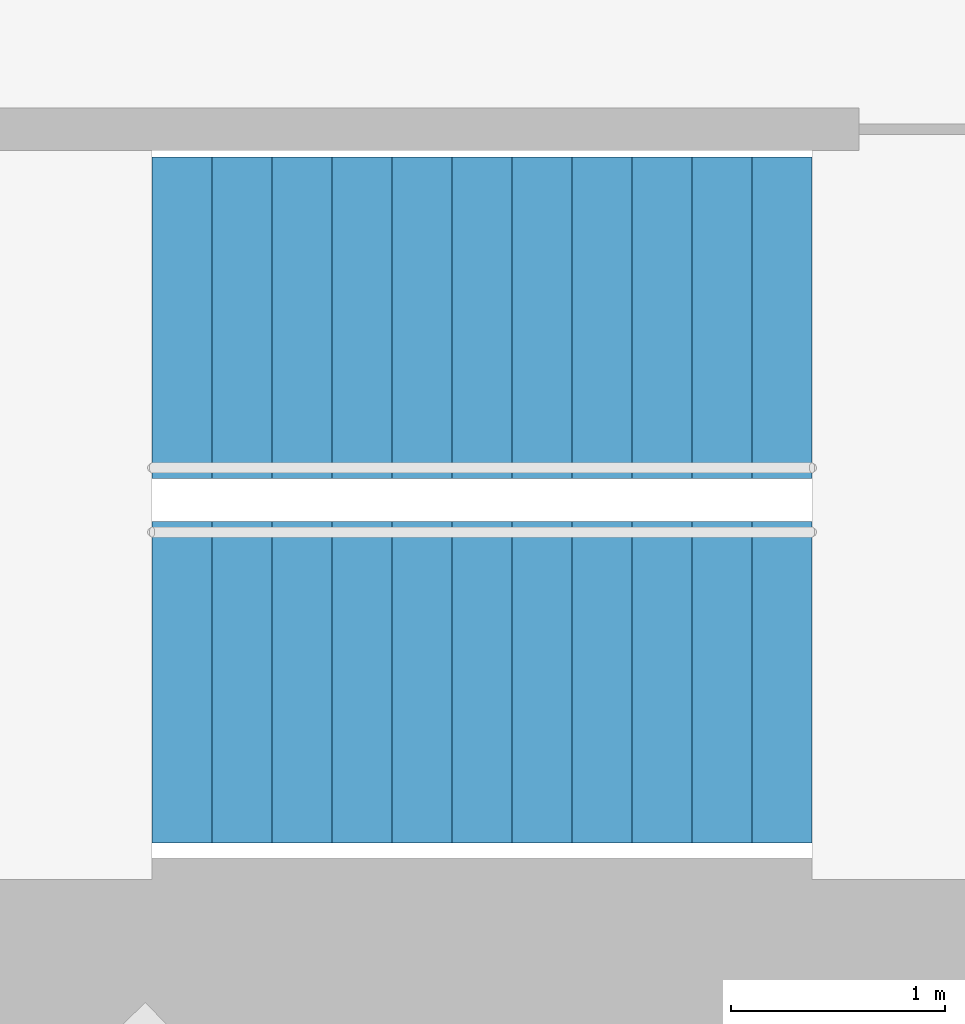
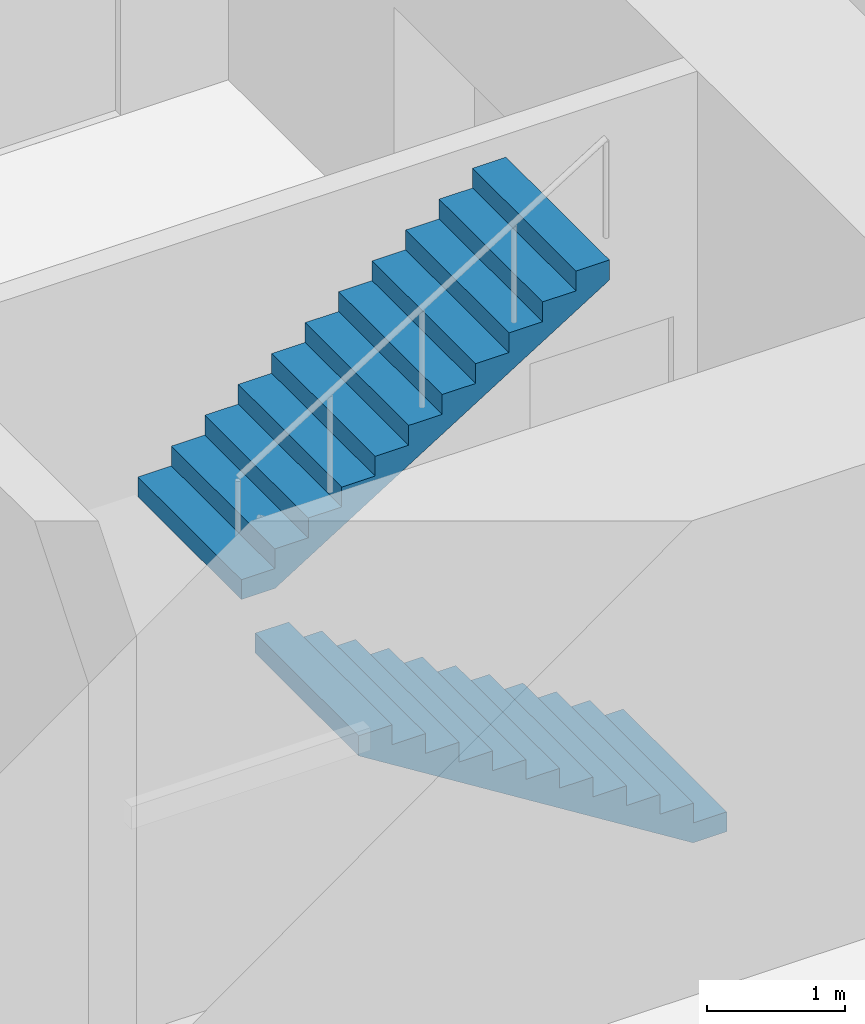
# One storey, part 17 of 18: 2 stair flights, 1 element without a shape of its own.
"""IFC4 building model written with IfcOpenShell, lengths in metres."""

from ifc_helpers import new_model, si_unit, direction, frame, origin, place, context, subcontext, project, spatial, triangles, material, type_object, element, aggregate, save


model = new_model("IFC4")

# Units and contexts
model_context = context("Model", 3, precision=1e-05, world=origin(), true_north=direction((0.0, 1.0)))
body_context = subcontext(model_context, "Body", "Model", "MODEL_VIEW")
ifc_project = project(units=[si_unit("LENGTHUNIT", "METRE"), si_unit("AREAUNIT", "SQUARE_METRE"), si_unit("VOLUMEUNIT", "CUBIC_METRE"), si_unit("PLANEANGLEUNIT", "RADIAN"), si_unit("MASSUNIT", "GRAM", prefix="KILO")], contexts=[model_context])

# Site, building, storey
site_placement = place(None, origin())
site = spatial("IfcSite", under=ifc_project, at=site_placement, CompositionType="ELEMENT")
building_placement = place(site_placement, origin())
building = spatial("IfcBuilding", under=site, at=building_placement, Name="Lantaw Convention Tower", CompositionType="ELEMENT")
storey_placement = place(building_placement, frame((0.0, 0.0, 180.39990234375)))
storey = spatial("IfcBuildingStorey", under=building, at=storey_placement, Name="L42", CompositionType="ELEMENT", Elevation=180.39990234375)

# Stair, stair flights
ifc_material = material(Name="Concrete C35/45", Category="concrete")
stair_type = type_object("IfcStairType", Name="Exit stair 1500 riser 175 in 2 flights", PredefinedType="HALF_TURN_STAIR", material=ifc_material)
stair_placement = place(storey_placement, origin())
stair = element("IfcStair", 1, at=stair_placement, inside=storey, type_object=stair_type, Name="Exit stair S2 L42", PredefinedType="HALF_TURN_STAIR")
stair_flight_type = type_object("IfcStairFlightType", Name="Stair flight 1500 riser 175", PredefinedType="STRAIGHT", material=ifc_material)
stair_flight_1_placement = place(storey_placement, frame((10.580078125, -5.97998046875, 0.0), z_axis=(0.0, 0.0, 1.0), x_axis=(-1.0, 0.0, 0.0)))
stair_flight_1 = element("IfcStairFlight", 2, at=stair_flight_1_placement, type_object=stair_flight_type, Name="S2 flight 1", NumberOfRisers=12, NumberOfTreads=11, PredefinedType="STRAIGHT", RiserHeight=0.175, TreadLength=0.28, context=body_context, shape_type="Tessellation", body=[
    triangles([(0.0, 0.75, 0.0), (0.0, 0.75, 0.175), (0.28, 0.75, 0.0), (0.28, 0.75, 0.175), (0.28, 0.75, 0.35), (0.28283517651771284, 0.75, 0.0), (0.28283517651771284, 0.75, 0.35), (0.56, 0.75, 0.17322801467642948), (0.56, 0.75, 0.35), (0.56, 0.75, 0.5249999999999999), (0.8400000000000001, 0.75, 0.34822801467642944), (0.8400000000000001, 0.75, 0.5249999999999999), (0.8400000000000001, 0.75, 0.7), (1.12, 0.75, 0.5232280146764294), (1.12, 0.75, 0.7), (1.12, 0.75, 0.875), (1.4000000000000001, 0.75, 0.6982280146764295), (1.4000000000000001, 0.75, 0.875), (1.4000000000000001, 0.75, 1.0499999999999998), (1.6800000000000002, 0.75, 0.8732280146764294), (1.6800000000000002, 0.75, 1.0499999999999998), (1.6800000000000002, 0.75, 1.2249999999999999), (1.9600000000000002, 0.75, 1.0482280146764293), (1.9600000000000002, 0.75, 1.2249999999999999), (1.9600000000000002, 0.75, 1.4), (2.24, 0.75, 1.2232280146764294), (2.24, 0.75, 1.4), (2.24, 0.75, 1.575), (2.5200000000000005, 0.75, 1.3982280146764294), (2.5200000000000005, 0.75, 1.575), (2.5200000000000005, 0.75, 1.75), (2.8000000000000003, 0.75, 1.5732280146764293), (2.8000000000000003, 0.75, 1.75), (2.8000000000000003, 0.75, 1.9249999999999998), (3.08, 0.75, 1.7482280146764293), (3.08, 0.75, 1.9249999999999998), (0.0, -0.75, 0.0), (0.0, -0.75, 0.175), (0.28, -0.75, 0.0), (0.28, -0.75, 0.175), (0.28, -0.75, 0.35), (0.28283517651771284, -0.75, 0.0), (0.28283517651771284, -0.75, 0.35), (0.56, -0.75, 0.17322801467642948), (0.56, -0.75, 0.35), (0.56, -0.75, 0.5249999999999999), (0.8400000000000001, -0.75, 0.34822801467642944), (0.8400000000000001, -0.75, 0.5249999999999999), (0.8400000000000001, -0.75, 0.7), (1.12, -0.75, 0.5232280146764294), (1.12, -0.75, 0.7), (1.12, -0.75, 0.875), (1.4000000000000001, -0.75, 0.6982280146764295), (1.4000000000000001, -0.75, 0.875), (1.4000000000000001, -0.75, 1.0499999999999998), (1.6800000000000002, -0.75, 0.8732280146764294), (1.6800000000000002, -0.75, 1.0499999999999998), (1.6800000000000002, -0.75, 1.2249999999999999), (1.9600000000000002, -0.75, 1.0482280146764293), (1.9600000000000002, -0.75, 1.2249999999999999), (1.9600000000000002, -0.75, 1.4), (2.24, -0.75, 1.2232280146764294), (2.24, -0.75, 1.4), (2.24, -0.75, 1.575), (2.5200000000000005, -0.75, 1.3982280146764294), (2.5200000000000005, -0.75, 1.575), (2.5200000000000005, -0.75, 1.75), (2.8000000000000003, -0.75, 1.5732280146764293), (2.8000000000000003, -0.75, 1.75), (2.8000000000000003, -0.75, 1.9249999999999998), (3.08, -0.75, 1.7482280146764293), (3.08, -0.75, 1.9249999999999998), (0.0, 0.15000000000000002, 0.175), (0.0, 0.15000000000000002, 0.0), (0.0, 0.0, 0.175), (0.0, 0.0, 0.0), (0.0, -0.15000000000000002, 0.175), (0.0, -0.15000000000000002, 0.0), (0.28, 0.15000000000000002, 0.35), (0.28, 0.15000000000000002, 0.175), (0.28, 0.0, 0.35), (0.28, 0.0, 0.175), (0.28, -0.15000000000000002, 0.35), (0.28, -0.15000000000000002, 0.175), (0.56, 0.15000000000000002, 0.5249999999999999), (0.56, 0.15000000000000002, 0.35), (0.56, 0.0, 0.5249999999999999), (0.56, 0.0, 0.35), (0.56, -0.15000000000000002, 0.5249999999999999), (0.56, -0.15000000000000002, 0.35), (0.8400000000000001, 0.15000000000000002, 0.7), (0.8400000000000001, 0.15000000000000002, 0.5249999999999999), (0.8400000000000001, 0.0, 0.7), (0.8400000000000001, 0.0, 0.5249999999999999), (0.8400000000000001, -0.15000000000000002, 0.7), (0.8400000000000001, -0.15000000000000002, 0.5249999999999999), (1.12, 0.15000000000000002, 0.875), (1.12, 0.15000000000000002, 0.7), (1.12, 0.0, 0.875), (1.12, 0.0, 0.7), (1.12, -0.15000000000000002, 0.875), (1.12, -0.15000000000000002, 0.7), (1.4000000000000001, 0.15000000000000002, 1.0499999999999998), (1.4000000000000001, 0.15000000000000002, 0.875), (1.4000000000000001, 0.0, 1.0499999999999998), (1.4000000000000001, 0.0, 0.875), (1.4000000000000001, -0.15000000000000002, 1.0499999999999998), (1.4000000000000001, -0.15000000000000002, 0.875), (1.6800000000000002, 0.15000000000000002, 1.2249999999999999), (1.6800000000000002, 0.15000000000000002, 1.0499999999999998), (1.6800000000000002, 0.0, 1.2249999999999999), (1.6800000000000002, 0.0, 1.0499999999999998), (1.6800000000000002, -0.15000000000000002, 1.2249999999999999), (1.6800000000000002, -0.15000000000000002, 1.0499999999999998), (1.9600000000000002, 0.15000000000000002, 1.4), (1.9600000000000002, 0.15000000000000002, 1.2249999999999999), (1.9600000000000002, 0.0, 1.4), (1.9600000000000002, 0.0, 1.2249999999999999), (1.9600000000000002, -0.15000000000000002, 1.4), (1.9600000000000002, -0.15000000000000002, 1.2249999999999999), (2.24, 0.15000000000000002, 1.575), (2.24, 0.15000000000000002, 1.4), (2.24, 0.0, 1.575), (2.24, 0.0, 1.4), (2.24, -0.15000000000000002, 1.575), (2.24, -0.15000000000000002, 1.4), (2.5200000000000005, 0.15000000000000002, 1.75), (2.5200000000000005, 0.15000000000000002, 1.575), (2.5200000000000005, 0.0, 1.75), (2.5200000000000005, 0.0, 1.575), (2.5200000000000005, -0.15000000000000002, 1.75), (2.5200000000000005, -0.15000000000000002, 1.575), (2.8000000000000003, 0.15000000000000002, 1.9249999999999998), (2.8000000000000003, 0.15000000000000002, 1.75), (2.8000000000000003, 0.0, 1.9249999999999998), (2.8000000000000003, 0.0, 1.75), (2.8000000000000003, -0.15000000000000002, 1.9249999999999998), (2.8000000000000003, -0.15000000000000002, 1.75), (0.28283517651771284, 0.15000000000000002, 0.35), (0.28283517651771284, 0.0, 0.35), (0.28283517651771284, -0.15000000000000002, 0.35), (3.08, 0.15000000000000002, 1.9249999999999998), (3.08, 0.0, 1.9249999999999998), (3.08, -0.15000000000000002, 1.9249999999999998), (3.08, 0.15000000000000002, 1.7482280146764293), (3.08, 0.0, 1.7482280146764293), (3.08, -0.15000000000000002, 1.7482280146764293), (2.8000000000000003, 0.15000000000000002, 1.5732280146764293), (2.8000000000000003, 0.0, 1.5732280146764293), (2.8000000000000003, -0.15000000000000002, 1.5732280146764293), (2.5200000000000005, 0.15000000000000002, 1.3982280146764294), (2.5200000000000005, 0.0, 1.3982280146764294), (2.5200000000000005, -0.15000000000000002, 1.3982280146764294), (2.24, 0.15000000000000002, 1.2232280146764294), (2.24, 0.0, 1.2232280146764294), (2.24, -0.15000000000000002, 1.2232280146764294), (1.9600000000000002, 0.15000000000000002, 1.0482280146764293), (1.9600000000000002, 0.0, 1.0482280146764293), (1.9600000000000002, -0.15000000000000002, 1.0482280146764293), (1.6800000000000002, 0.15000000000000002, 0.8732280146764294), (1.6800000000000002, 0.0, 0.8732280146764294), (1.6800000000000002, -0.15000000000000002, 0.8732280146764294), (1.4000000000000001, 0.15000000000000002, 0.6982280146764295), (1.4000000000000001, 0.0, 0.6982280146764295), (1.4000000000000001, -0.15000000000000002, 0.6982280146764295), (1.12, 0.15000000000000002, 0.5232280146764294), (1.12, 0.0, 0.5232280146764294), (1.12, -0.15000000000000002, 0.5232280146764294), (0.8400000000000001, 0.15000000000000002, 0.34822801467642944), (0.8400000000000001, 0.0, 0.34822801467642944), (0.8400000000000001, -0.15000000000000002, 0.34822801467642944), (0.56, 0.15000000000000002, 0.17322801467642948), (0.56, 0.0, 0.17322801467642948), (0.56, -0.15000000000000002, 0.17322801467642948), (0.28283517651771284, 0.15000000000000002, 0.0), (0.28283517651771284, 0.0, 0.0), (0.28283517651771284, -0.15000000000000002, 0.0), (0.28, 0.15000000000000002, 0.0), (0.28, 0.0, 0.0), (0.28, -0.15000000000000002, 0.0)], [[1, 4, 3], [1, 2, 4], [3, 4, 6], [4, 7, 6], [4, 5, 7], [6, 9, 8], [6, 7, 9], [8, 9, 11], [9, 12, 11], [9, 10, 12], [11, 12, 14], [12, 15, 14], [12, 13, 15], [14, 15, 17], [15, 18, 17], [15, 16, 18], [17, 18, 20], [18, 21, 20], [18, 19, 21], [20, 21, 23], [21, 24, 23], [21, 22, 24], [23, 24, 26], [24, 27, 26], [24, 25, 27], [26, 27, 29], [27, 30, 29], [27, 28, 30], [29, 30, 32], [30, 33, 32], [30, 31, 33], [32, 33, 35], [33, 36, 35], [33, 34, 36], [37, 39, 40], [37, 40, 38], [39, 42, 40], [40, 42, 43], [40, 43, 41], [42, 44, 45], [42, 45, 43], [44, 47, 45], [45, 47, 48], [45, 48, 46], [47, 50, 48], [48, 50, 51], [48, 51, 49], [50, 53, 51], [51, 53, 54], [51, 54, 52], [53, 56, 54], [54, 56, 57], [54, 57, 55], [56, 59, 57], [57, 59, 60], [57, 60, 58], [59, 62, 60], [60, 62, 63], [60, 63, 61], [62, 65, 63], [63, 65, 66], [63, 66, 64], [65, 68, 66], [66, 68, 69], [66, 69, 67], [68, 71, 69], [69, 71, 72], [69, 72, 70], [1, 73, 2], [1, 74, 73], [74, 75, 73], [74, 76, 75], [76, 77, 75], [76, 78, 77], [78, 38, 77], [78, 37, 38], [4, 79, 5], [4, 80, 79], [80, 81, 79], [80, 82, 81], [82, 83, 81], [82, 84, 83], [84, 41, 83], [84, 40, 41], [9, 85, 10], [9, 86, 85], [86, 87, 85], [86, 88, 87], [88, 89, 87], [88, 90, 89], [90, 46, 89], [90, 45, 46], [12, 91, 13], [12, 92, 91], [92, 93, 91], [92, 94, 93], [94, 95, 93], [94, 96, 95], [96, 49, 95], [96, 48, 49], [15, 97, 16], [15, 98, 97], [98, 99, 97], [98, 100, 99], [100, 101, 99], [100, 102, 101], [102, 52, 101], [102, 51, 52], [18, 103, 19], [18, 104, 103], [104, 105, 103], [104, 106, 105], [106, 107, 105], [106, 108, 107], [108, 55, 107], [108, 54, 55], [21, 109, 22], [21, 110, 109], [110, 111, 109], [110, 112, 111], [112, 113, 111], [112, 114, 113], [114, 58, 113], [114, 57, 58], [24, 115, 25], [24, 116, 115], [116, 117, 115], [116, 118, 117], [118, 119, 117], [118, 120, 119], [120, 61, 119], [120, 60, 61], [27, 121, 28], [27, 122, 121], [122, 123, 121], [122, 124, 123], [124, 125, 123], [124, 126, 125], [126, 64, 125], [126, 63, 64], [30, 127, 31], [30, 128, 127], [128, 129, 127], [128, 130, 129], [130, 131, 129], [130, 132, 131], [132, 67, 131], [132, 66, 67], [33, 133, 34], [33, 134, 133], [134, 135, 133], [134, 136, 135], [136, 137, 135], [136, 138, 137], [138, 70, 137], [138, 69, 70], [2, 80, 4], [2, 73, 80], [73, 82, 80], [73, 75, 82], [75, 84, 82], [75, 77, 84], [77, 40, 84], [77, 38, 40], [5, 139, 7], [5, 79, 139], [79, 140, 139], [79, 81, 140], [81, 141, 140], [81, 83, 141], [83, 43, 141], [83, 41, 43], [7, 86, 9], [7, 139, 86], [139, 88, 86], [139, 140, 88], [140, 90, 88], [140, 141, 90], [141, 45, 90], [141, 43, 45], [10, 92, 12], [10, 85, 92], [85, 94, 92], [85, 87, 94], [87, 96, 94], [87, 89, 96], [89, 48, 96], [89, 46, 48], [13, 98, 15], [13, 91, 98], [91, 100, 98], [91, 93, 100], [93, 102, 100], [93, 95, 102], [95, 51, 102], [95, 49, 51], [16, 104, 18], [16, 97, 104], [97, 106, 104], [97, 99, 106], [99, 108, 106], [99, 101, 108], [101, 54, 108], [101, 52, 54], [19, 110, 21], [19, 103, 110], [103, 112, 110], [103, 105, 112], [105, 114, 112], [105, 107, 114], [107, 57, 114], [107, 55, 57], [22, 116, 24], [22, 109, 116], [109, 118, 116], [109, 111, 118], [111, 120, 118], [111, 113, 120], [113, 60, 120], [113, 58, 60], [25, 122, 27], [25, 115, 122], [115, 124, 122], [115, 117, 124], [117, 126, 124], [117, 119, 126], [119, 63, 126], [119, 61, 63], [28, 128, 30], [28, 121, 128], [121, 130, 128], [121, 123, 130], [123, 132, 130], [123, 125, 132], [125, 66, 132], [125, 64, 66], [31, 134, 33], [31, 127, 134], [127, 136, 134], [127, 129, 136], [129, 138, 136], [129, 131, 138], [131, 69, 138], [131, 67, 69], [34, 142, 36], [34, 133, 142], [133, 143, 142], [133, 135, 143], [135, 144, 143], [135, 137, 144], [137, 72, 144], [137, 70, 72], [36, 145, 35], [36, 142, 145], [142, 146, 145], [142, 143, 146], [143, 147, 146], [143, 144, 147], [144, 71, 147], [144, 72, 71], [35, 148, 32], [35, 145, 148], [145, 149, 148], [145, 146, 149], [146, 150, 149], [146, 147, 150], [147, 68, 150], [147, 71, 68], [32, 151, 29], [32, 148, 151], [148, 152, 151], [148, 149, 152], [149, 153, 152], [149, 150, 153], [150, 65, 153], [150, 68, 65], [29, 154, 26], [29, 151, 154], [151, 155, 154], [151, 152, 155], [152, 156, 155], [152, 153, 156], [153, 62, 156], [153, 65, 62], [26, 157, 23], [26, 154, 157], [154, 158, 157], [154, 155, 158], [155, 159, 158], [155, 156, 159], [156, 59, 159], [156, 62, 59], [23, 160, 20], [23, 157, 160], [157, 161, 160], [157, 158, 161], [158, 162, 161], [158, 159, 162], [159, 56, 162], [159, 59, 56], [20, 163, 17], [20, 160, 163], [160, 164, 163], [160, 161, 164], [161, 165, 164], [161, 162, 165], [162, 53, 165], [162, 56, 53], [17, 166, 14], [17, 163, 166], [163, 167, 166], [163, 164, 167], [164, 168, 167], [164, 165, 168], [165, 50, 168], [165, 53, 50], [14, 169, 11], [14, 166, 169], [166, 170, 169], [166, 167, 170], [167, 171, 170], [167, 168, 171], [168, 47, 171], [168, 50, 47], [11, 172, 8], [11, 169, 172], [169, 173, 172], [169, 170, 173], [170, 174, 173], [170, 171, 174], [171, 44, 174], [171, 47, 44], [8, 175, 6], [8, 172, 175], [172, 176, 175], [172, 173, 176], [173, 177, 176], [173, 174, 177], [174, 42, 177], [174, 44, 42], [6, 178, 3], [6, 175, 178], [175, 179, 178], [175, 176, 179], [176, 180, 179], [176, 177, 180], [177, 39, 180], [177, 42, 39], [3, 74, 1], [3, 178, 74], [178, 76, 74], [178, 179, 76], [179, 78, 76], [179, 180, 78], [180, 37, 78], [180, 39, 37]], closed=True),
])
stair_flight_2_placement = place(storey_placement, frame((7.5, -4.280029296875, 2.10009765625), z_axis=(0.0, 0.0, 1.0), x_axis=(1.0, 0.0, 0.0)))
stair_flight_2 = element("IfcStairFlight", 3, at=stair_flight_2_placement, type_object=stair_flight_type, Name="S2 flight 2", NumberOfRisers=12, NumberOfTreads=11, PredefinedType="STRAIGHT", RiserHeight=0.175, TreadLength=0.28, context=body_context, shape_type="Tessellation", body=[
    triangles([(0.0, 0.75, 0.0), (0.0, 0.75, 0.175), (0.28, 0.75, 0.0), (0.28, 0.75, 0.175), (0.28, 0.75, 0.35), (0.28283517651771284, 0.75, 0.0), (0.28283517651771284, 0.75, 0.35), (0.56, 0.75, 0.17322801467642948), (0.56, 0.75, 0.35), (0.56, 0.75, 0.5249999999999999), (0.8400000000000001, 0.75, 0.34822801467642944), (0.8400000000000001, 0.75, 0.5249999999999999), (0.8400000000000001, 0.75, 0.7), (1.12, 0.75, 0.5232280146764294), (1.12, 0.75, 0.7), (1.12, 0.75, 0.875), (1.4000000000000001, 0.75, 0.6982280146764295), (1.4000000000000001, 0.75, 0.875), (1.4000000000000001, 0.75, 1.0499999999999998), (1.6800000000000002, 0.75, 0.8732280146764294), (1.6800000000000002, 0.75, 1.0499999999999998), (1.6800000000000002, 0.75, 1.2249999999999999), (1.9600000000000002, 0.75, 1.0482280146764293), (1.9600000000000002, 0.75, 1.2249999999999999), (1.9600000000000002, 0.75, 1.4), (2.24, 0.75, 1.2232280146764294), (2.24, 0.75, 1.4), (2.24, 0.75, 1.575), (2.5200000000000005, 0.75, 1.3982280146764294), (2.5200000000000005, 0.75, 1.575), (2.5200000000000005, 0.75, 1.75), (2.8000000000000003, 0.75, 1.5732280146764293), (2.8000000000000003, 0.75, 1.75), (2.8000000000000003, 0.75, 1.9249999999999998), (3.08, 0.75, 1.7482280146764293), (3.08, 0.75, 1.9249999999999998), (0.0, -0.75, 0.0), (0.0, -0.75, 0.175), (0.28, -0.75, 0.0), (0.28, -0.75, 0.175), (0.28, -0.75, 0.35), (0.28283517651771284, -0.75, 0.0), (0.28283517651771284, -0.75, 0.35), (0.56, -0.75, 0.17322801467642948), (0.56, -0.75, 0.35), (0.56, -0.75, 0.5249999999999999), (0.8400000000000001, -0.75, 0.34822801467642944), (0.8400000000000001, -0.75, 0.5249999999999999), (0.8400000000000001, -0.75, 0.7), (1.12, -0.75, 0.5232280146764294), (1.12, -0.75, 0.7), (1.12, -0.75, 0.875), (1.4000000000000001, -0.75, 0.6982280146764295), (1.4000000000000001, -0.75, 0.875), (1.4000000000000001, -0.75, 1.0499999999999998), (1.6800000000000002, -0.75, 0.8732280146764294), (1.6800000000000002, -0.75, 1.0499999999999998), (1.6800000000000002, -0.75, 1.2249999999999999), (1.9600000000000002, -0.75, 1.0482280146764293), (1.9600000000000002, -0.75, 1.2249999999999999), (1.9600000000000002, -0.75, 1.4), (2.24, -0.75, 1.2232280146764294), (2.24, -0.75, 1.4), (2.24, -0.75, 1.575), (2.5200000000000005, -0.75, 1.3982280146764294), (2.5200000000000005, -0.75, 1.575), (2.5200000000000005, -0.75, 1.75), (2.8000000000000003, -0.75, 1.5732280146764293), (2.8000000000000003, -0.75, 1.75), (2.8000000000000003, -0.75, 1.9249999999999998), (3.08, -0.75, 1.7482280146764293), (3.08, -0.75, 1.9249999999999998), (0.0, 0.15000000000000002, 0.175), (0.0, 0.15000000000000002, 0.0), (0.0, 0.0, 0.175), (0.0, 0.0, 0.0), (0.0, -0.15000000000000002, 0.175), (0.0, -0.15000000000000002, 0.0), (0.28, 0.15000000000000002, 0.35), (0.28, 0.15000000000000002, 0.175), (0.28, 0.0, 0.35), (0.28, 0.0, 0.175), (0.28, -0.15000000000000002, 0.35), (0.28, -0.15000000000000002, 0.175), (0.56, 0.15000000000000002, 0.5249999999999999), (0.56, 0.15000000000000002, 0.35), (0.56, 0.0, 0.5249999999999999), (0.56, 0.0, 0.35), (0.56, -0.15000000000000002, 0.5249999999999999), (0.56, -0.15000000000000002, 0.35), (0.8400000000000001, 0.15000000000000002, 0.7), (0.8400000000000001, 0.15000000000000002, 0.5249999999999999), (0.8400000000000001, 0.0, 0.7), (0.8400000000000001, 0.0, 0.5249999999999999), (0.8400000000000001, -0.15000000000000002, 0.7), (0.8400000000000001, -0.15000000000000002, 0.5249999999999999), (1.12, 0.15000000000000002, 0.875), (1.12, 0.15000000000000002, 0.7), (1.12, 0.0, 0.875), (1.12, 0.0, 0.7), (1.12, -0.15000000000000002, 0.875), (1.12, -0.15000000000000002, 0.7), (1.4000000000000001, 0.15000000000000002, 1.0499999999999998), (1.4000000000000001, 0.15000000000000002, 0.875), (1.4000000000000001, 0.0, 1.0499999999999998), (1.4000000000000001, 0.0, 0.875), (1.4000000000000001, -0.15000000000000002, 1.0499999999999998), (1.4000000000000001, -0.15000000000000002, 0.875), (1.6800000000000002, 0.15000000000000002, 1.2249999999999999), (1.6800000000000002, 0.15000000000000002, 1.0499999999999998), (1.6800000000000002, 0.0, 1.2249999999999999), (1.6800000000000002, 0.0, 1.0499999999999998), (1.6800000000000002, -0.15000000000000002, 1.2249999999999999), (1.6800000000000002, -0.15000000000000002, 1.0499999999999998), (1.9600000000000002, 0.15000000000000002, 1.4), (1.9600000000000002, 0.15000000000000002, 1.2249999999999999), (1.9600000000000002, 0.0, 1.4), (1.9600000000000002, 0.0, 1.2249999999999999), (1.9600000000000002, -0.15000000000000002, 1.4), (1.9600000000000002, -0.15000000000000002, 1.2249999999999999), (2.24, 0.15000000000000002, 1.575), (2.24, 0.15000000000000002, 1.4), (2.24, 0.0, 1.575), (2.24, 0.0, 1.4), (2.24, -0.15000000000000002, 1.575), (2.24, -0.15000000000000002, 1.4), (2.5200000000000005, 0.15000000000000002, 1.75), (2.5200000000000005, 0.15000000000000002, 1.575), (2.5200000000000005, 0.0, 1.75), (2.5200000000000005, 0.0, 1.575), (2.5200000000000005, -0.15000000000000002, 1.75), (2.5200000000000005, -0.15000000000000002, 1.575), (2.8000000000000003, 0.15000000000000002, 1.9249999999999998), (2.8000000000000003, 0.15000000000000002, 1.75), (2.8000000000000003, 0.0, 1.9249999999999998), (2.8000000000000003, 0.0, 1.75), (2.8000000000000003, -0.15000000000000002, 1.9249999999999998), (2.8000000000000003, -0.15000000000000002, 1.75), (0.28283517651771284, 0.15000000000000002, 0.35), (0.28283517651771284, 0.0, 0.35), (0.28283517651771284, -0.15000000000000002, 0.35), (3.08, 0.15000000000000002, 1.9249999999999998), (3.08, 0.0, 1.9249999999999998), (3.08, -0.15000000000000002, 1.9249999999999998), (3.08, 0.15000000000000002, 1.7482280146764293), (3.08, 0.0, 1.7482280146764293), (3.08, -0.15000000000000002, 1.7482280146764293), (2.8000000000000003, 0.15000000000000002, 1.5732280146764293), (2.8000000000000003, 0.0, 1.5732280146764293), (2.8000000000000003, -0.15000000000000002, 1.5732280146764293), (2.5200000000000005, 0.15000000000000002, 1.3982280146764294), (2.5200000000000005, 0.0, 1.3982280146764294), (2.5200000000000005, -0.15000000000000002, 1.3982280146764294), (2.24, 0.15000000000000002, 1.2232280146764294), (2.24, 0.0, 1.2232280146764294), (2.24, -0.15000000000000002, 1.2232280146764294), (1.9600000000000002, 0.15000000000000002, 1.0482280146764293), (1.9600000000000002, 0.0, 1.0482280146764293), (1.9600000000000002, -0.15000000000000002, 1.0482280146764293), (1.6800000000000002, 0.15000000000000002, 0.8732280146764294), (1.6800000000000002, 0.0, 0.8732280146764294), (1.6800000000000002, -0.15000000000000002, 0.8732280146764294), (1.4000000000000001, 0.15000000000000002, 0.6982280146764295), (1.4000000000000001, 0.0, 0.6982280146764295), (1.4000000000000001, -0.15000000000000002, 0.6982280146764295), (1.12, 0.15000000000000002, 0.5232280146764294), (1.12, 0.0, 0.5232280146764294), (1.12, -0.15000000000000002, 0.5232280146764294), (0.8400000000000001, 0.15000000000000002, 0.34822801467642944), (0.8400000000000001, 0.0, 0.34822801467642944), (0.8400000000000001, -0.15000000000000002, 0.34822801467642944), (0.56, 0.15000000000000002, 0.17322801467642948), (0.56, 0.0, 0.17322801467642948), (0.56, -0.15000000000000002, 0.17322801467642948), (0.28283517651771284, 0.15000000000000002, 0.0), (0.28283517651771284, 0.0, 0.0), (0.28283517651771284, -0.15000000000000002, 0.0), (0.28, 0.15000000000000002, 0.0), (0.28, 0.0, 0.0), (0.28, -0.15000000000000002, 0.0)], [[1, 4, 3], [1, 2, 4], [3, 4, 6], [4, 7, 6], [4, 5, 7], [6, 9, 8], [6, 7, 9], [8, 9, 11], [9, 12, 11], [9, 10, 12], [11, 12, 14], [12, 15, 14], [12, 13, 15], [14, 15, 17], [15, 18, 17], [15, 16, 18], [17, 18, 20], [18, 21, 20], [18, 19, 21], [20, 21, 23], [21, 24, 23], [21, 22, 24], [23, 24, 26], [24, 27, 26], [24, 25, 27], [26, 27, 29], [27, 30, 29], [27, 28, 30], [29, 30, 32], [30, 33, 32], [30, 31, 33], [32, 33, 35], [33, 36, 35], [33, 34, 36], [37, 39, 40], [37, 40, 38], [39, 42, 40], [40, 42, 43], [40, 43, 41], [42, 44, 45], [42, 45, 43], [44, 47, 45], [45, 47, 48], [45, 48, 46], [47, 50, 48], [48, 50, 51], [48, 51, 49], [50, 53, 51], [51, 53, 54], [51, 54, 52], [53, 56, 54], [54, 56, 57], [54, 57, 55], [56, 59, 57], [57, 59, 60], [57, 60, 58], [59, 62, 60], [60, 62, 63], [60, 63, 61], [62, 65, 63], [63, 65, 66], [63, 66, 64], [65, 68, 66], [66, 68, 69], [66, 69, 67], [68, 71, 69], [69, 71, 72], [69, 72, 70], [1, 73, 2], [1, 74, 73], [74, 75, 73], [74, 76, 75], [76, 77, 75], [76, 78, 77], [78, 38, 77], [78, 37, 38], [4, 79, 5], [4, 80, 79], [80, 81, 79], [80, 82, 81], [82, 83, 81], [82, 84, 83], [84, 41, 83], [84, 40, 41], [9, 85, 10], [9, 86, 85], [86, 87, 85], [86, 88, 87], [88, 89, 87], [88, 90, 89], [90, 46, 89], [90, 45, 46], [12, 91, 13], [12, 92, 91], [92, 93, 91], [92, 94, 93], [94, 95, 93], [94, 96, 95], [96, 49, 95], [96, 48, 49], [15, 97, 16], [15, 98, 97], [98, 99, 97], [98, 100, 99], [100, 101, 99], [100, 102, 101], [102, 52, 101], [102, 51, 52], [18, 103, 19], [18, 104, 103], [104, 105, 103], [104, 106, 105], [106, 107, 105], [106, 108, 107], [108, 55, 107], [108, 54, 55], [21, 109, 22], [21, 110, 109], [110, 111, 109], [110, 112, 111], [112, 113, 111], [112, 114, 113], [114, 58, 113], [114, 57, 58], [24, 115, 25], [24, 116, 115], [116, 117, 115], [116, 118, 117], [118, 119, 117], [118, 120, 119], [120, 61, 119], [120, 60, 61], [27, 121, 28], [27, 122, 121], [122, 123, 121], [122, 124, 123], [124, 125, 123], [124, 126, 125], [126, 64, 125], [126, 63, 64], [30, 127, 31], [30, 128, 127], [128, 129, 127], [128, 130, 129], [130, 131, 129], [130, 132, 131], [132, 67, 131], [132, 66, 67], [33, 133, 34], [33, 134, 133], [134, 135, 133], [134, 136, 135], [136, 137, 135], [136, 138, 137], [138, 70, 137], [138, 69, 70], [2, 80, 4], [2, 73, 80], [73, 82, 80], [73, 75, 82], [75, 84, 82], [75, 77, 84], [77, 40, 84], [77, 38, 40], [5, 139, 7], [5, 79, 139], [79, 140, 139], [79, 81, 140], [81, 141, 140], [81, 83, 141], [83, 43, 141], [83, 41, 43], [7, 86, 9], [7, 139, 86], [139, 88, 86], [139, 140, 88], [140, 90, 88], [140, 141, 90], [141, 45, 90], [141, 43, 45], [10, 92, 12], [10, 85, 92], [85, 94, 92], [85, 87, 94], [87, 96, 94], [87, 89, 96], [89, 48, 96], [89, 46, 48], [13, 98, 15], [13, 91, 98], [91, 100, 98], [91, 93, 100], [93, 102, 100], [93, 95, 102], [95, 51, 102], [95, 49, 51], [16, 104, 18], [16, 97, 104], [97, 106, 104], [97, 99, 106], [99, 108, 106], [99, 101, 108], [101, 54, 108], [101, 52, 54], [19, 110, 21], [19, 103, 110], [103, 112, 110], [103, 105, 112], [105, 114, 112], [105, 107, 114], [107, 57, 114], [107, 55, 57], [22, 116, 24], [22, 109, 116], [109, 118, 116], [109, 111, 118], [111, 120, 118], [111, 113, 120], [113, 60, 120], [113, 58, 60], [25, 122, 27], [25, 115, 122], [115, 124, 122], [115, 117, 124], [117, 126, 124], [117, 119, 126], [119, 63, 126], [119, 61, 63], [28, 128, 30], [28, 121, 128], [121, 130, 128], [121, 123, 130], [123, 132, 130], [123, 125, 132], [125, 66, 132], [125, 64, 66], [31, 134, 33], [31, 127, 134], [127, 136, 134], [127, 129, 136], [129, 138, 136], [129, 131, 138], [131, 69, 138], [131, 67, 69], [34, 142, 36], [34, 133, 142], [133, 143, 142], [133, 135, 143], [135, 144, 143], [135, 137, 144], [137, 72, 144], [137, 70, 72], [36, 145, 35], [36, 142, 145], [142, 146, 145], [142, 143, 146], [143, 147, 146], [143, 144, 147], [144, 71, 147], [144, 72, 71], [35, 148, 32], [35, 145, 148], [145, 149, 148], [145, 146, 149], [146, 150, 149], [146, 147, 150], [147, 68, 150], [147, 71, 68], [32, 151, 29], [32, 148, 151], [148, 152, 151], [148, 149, 152], [149, 153, 152], [149, 150, 153], [150, 65, 153], [150, 68, 65], [29, 154, 26], [29, 151, 154], [151, 155, 154], [151, 152, 155], [152, 156, 155], [152, 153, 156], [153, 62, 156], [153, 65, 62], [26, 157, 23], [26, 154, 157], [154, 158, 157], [154, 155, 158], [155, 159, 158], [155, 156, 159], [156, 59, 159], [156, 62, 59], [23, 160, 20], [23, 157, 160], [157, 161, 160], [157, 158, 161], [158, 162, 161], [158, 159, 162], [159, 56, 162], [159, 59, 56], [20, 163, 17], [20, 160, 163], [160, 164, 163], [160, 161, 164], [161, 165, 164], [161, 162, 165], [162, 53, 165], [162, 56, 53], [17, 166, 14], [17, 163, 166], [163, 167, 166], [163, 164, 167], [164, 168, 167], [164, 165, 168], [165, 50, 168], [165, 53, 50], [14, 169, 11], [14, 166, 169], [166, 170, 169], [166, 167, 170], [167, 171, 170], [167, 168, 171], [168, 47, 171], [168, 50, 47], [11, 172, 8], [11, 169, 172], [169, 173, 172], [169, 170, 173], [170, 174, 173], [170, 171, 174], [171, 44, 174], [171, 47, 44], [8, 175, 6], [8, 172, 175], [172, 176, 175], [172, 173, 176], [173, 177, 176], [173, 174, 177], [174, 42, 177], [174, 44, 42], [6, 178, 3], [6, 175, 178], [175, 179, 178], [175, 176, 179], [176, 180, 179], [176, 177, 180], [177, 39, 180], [177, 42, 39], [3, 74, 1], [3, 178, 74], [178, 76, 74], [178, 179, 76], [179, 78, 76], [179, 180, 78], [180, 37, 78], [180, 39, 37]], closed=True),
])
aggregate(stair, [stair_flight_1, stair_flight_2])

save(model, "model.ifc")
